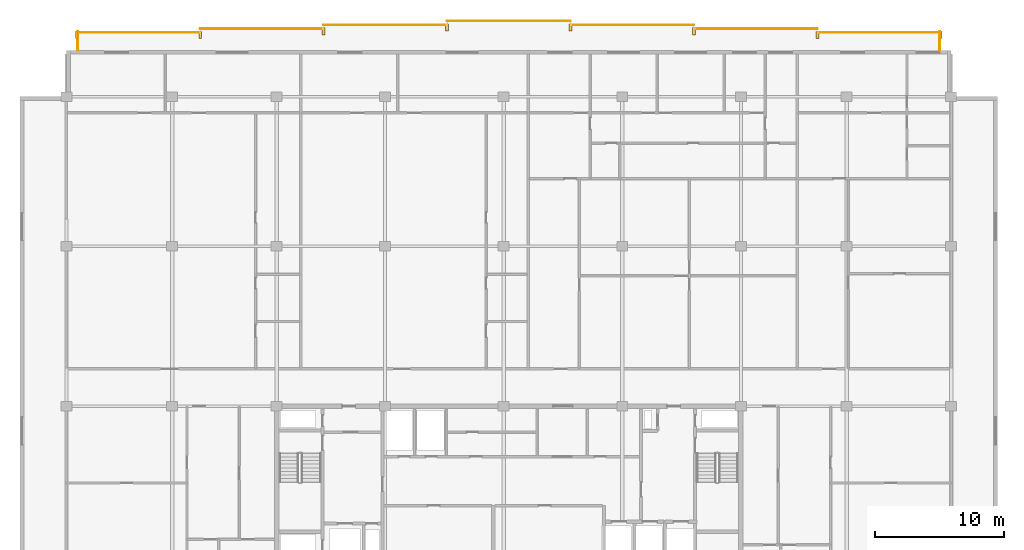
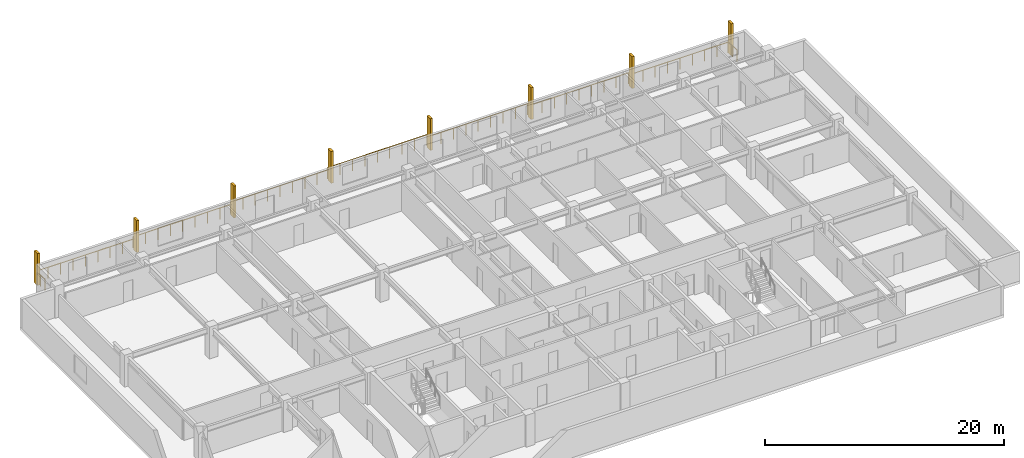
# One storey, part 22 of 22: 9 railings, 8 shading devices.
"""IFC4 building model written with IfcOpenShell, lengths in metres."""

from ifc_helpers import new_model, si_unit, direction, frame, origin, origin_2d, place, context, subcontext, project, spatial, rectangle, circle, extrude, material, type_object, element, save


model = new_model("IFC4")

# Units and contexts
model_context = context("Model", 3, precision=1e-05, world=origin(), true_north=direction((0.0, 1.0)))
body_context = subcontext(model_context, "Body", "Model", "MODEL_VIEW")
ifc_project = project(units=[si_unit("LENGTHUNIT", "METRE"), si_unit("AREAUNIT", "SQUARE_METRE"), si_unit("VOLUMEUNIT", "CUBIC_METRE"), si_unit("PLANEANGLEUNIT", "RADIAN"), si_unit("MASSUNIT", "GRAM", prefix="KILO")], contexts=[model_context])

# Site, building, storey
site_placement = place(None, origin())
site = spatial("IfcSite", under=ifc_project, at=site_placement, CompositionType="ELEMENT")
building_placement = place(site_placement, origin())
building = spatial("IfcBuilding", under=site, at=building_placement, Name="Korimba Cascade Residences", CompositionType="ELEMENT")
storey_placement = place(building_placement, frame((0.0, 0.0, 194.60009765625)))
storey = spatial("IfcBuildingStorey", under=building, at=storey_placement, Name="L56", CompositionType="ELEMENT", Elevation=194.60009765625)

# Railings
ifc_material_1 = material(Name="Laminated Glass and Bronze Balustrade", Category="glass")
railing_type = type_object("IfcRailingType", Name="RLG-LOG-1150", PredefinedType="BALUSTRADE", material=ifc_material_1)
railing_1_placement = place(storey_placement, frame((127.52001953125, 94.800048828125, 0.0)))
element("IfcRailing", 1, at=railing_1_placement, inside=storey, type_object=railing_type, Name="L56 Perimeter Guardrail RLG-L56-T1-LOG-01", PredefinedType="BALUSTRADE", context=body_context, shape_type="SweptSolid", body=[
    extrude(circle(Radius=0.02392578125, at=origin_2d()), frame((0.0, 0.0, 1.1259765625), z_axis=(0.0, 1.0, 0.0), x_axis=(-1.0, 0.0, 0.0)), (0.0, 0.0, 1.0), 1.449951171875),
    extrude(circle(Radius=0.02099609375, at=origin_2d()), origin(), (0.0, 0.0, 1.0), 1.101806640625),
    extrude(circle(Radius=0.02099609375, at=origin_2d()), frame((0.0, 0.72509765625, 0.0)), (0.0, 0.0, 1.0), 1.101806640625),
    extrude(circle(Radius=0.02099609375, at=origin_2d()), frame((0.0, 1.449951171875, 0.0)), (0.0, 0.0, 1.0), 1.101806640625),
])
for number, where, name in (
    (2, (127.60009765625, 96.169921875, 0.0), "L56 Perimeter Guardrail RLG-L56-T1-LOG-02"),
    (3, (118.028564453125, 96.469970703125, 0.0), "L56 Perimeter Guardrail RLG-L56-T1-LOG-03"),
):
    element("IfcRailing", number, at=place(storey_placement, frame(where)), inside=storey, type_object=railing_type, Name=name, PredefinedType="BALUSTRADE", context=body_context, shape_type="SweptSolid", body=[
        extrude(circle(Radius=0.02392578125, at=origin_2d()), frame((0.0, 0.0, 1.1259765625), z_axis=(-1.0, 0.0, 0.0), x_axis=(0.0, -1.0, 0.0)), (0.0, 0.0, 1.0), 9.571533203125),
        extrude(circle(Radius=0.02099609375, at=origin_2d()), origin(), (0.0, 0.0, 1.0), 1.101806640625),
        extrude(circle(Radius=0.02099609375, at=origin_2d()), frame((-1.196533203125, 0.0, 0.0)), (0.0, 0.0, 1.0), 1.101806640625),
        extrude(circle(Radius=0.02099609375, at=origin_2d()), frame((-2.392822265625, 0.0, 0.0)), (0.0, 0.0, 1.0), 1.101806640625),
        extrude(circle(Radius=0.02099609375, at=origin_2d()), frame((-3.58935546875, 0.0, 0.0)), (0.0, 0.0, 1.0), 1.101806640625),
        extrude(circle(Radius=0.02099609375, at=origin_2d()), frame((-4.78564453125, 0.0, 0.0)), (0.0, 0.0, 1.0), 1.101806640625),
        extrude(circle(Radius=0.02099609375, at=origin_2d()), frame((-5.982177734375, 0.0, 0.0)), (0.0, 0.0, 1.0), 1.101806640625),
        extrude(circle(Radius=0.02099609375, at=origin_2d()), frame((-7.1787109375, 0.0, 0.0)), (0.0, 0.0, 1.0), 1.101806640625),
        extrude(circle(Radius=0.02099609375, at=origin_2d()), frame((-8.375, 0.0, 0.0)), (0.0, 0.0, 1.0), 1.101806640625),
        extrude(circle(Radius=0.02099609375, at=origin_2d()), frame((-9.571533203125, 0.0, 0.0)), (0.0, 0.0, 1.0), 1.101806640625),
    ])
railing_2_placement = place(storey_placement, frame((108.45703125, 96.77001953125, 0.0)))
element("IfcRailing", 4, at=railing_2_placement, inside=storey, type_object=railing_type, Name="L56 Perimeter Guardrail RLG-L56-T1-LOG-04", PredefinedType="BALUSTRADE", context=body_context, shape_type="SweptSolid", body=[
    extrude(circle(Radius=0.02392578125, at=origin_2d()), frame((0.0, 0.0, 1.1259765625), z_axis=(-1.0, 0.0, 0.0), x_axis=(0.0, -1.0, 0.0)), (0.0, 0.0, 1.0), 9.5712890625),
    extrude(circle(Radius=0.02099609375, at=origin_2d()), origin(), (0.0, 0.0, 1.0), 1.101806640625),
    extrude(circle(Radius=0.02099609375, at=origin_2d()), frame((-1.1962890625, 0.0, 0.0)), (0.0, 0.0, 1.0), 1.101806640625),
    extrude(circle(Radius=0.02099609375, at=origin_2d()), frame((-2.392822265625, 0.0, 0.0)), (0.0, 0.0, 1.0), 1.101806640625),
    extrude(circle(Radius=0.02099609375, at=origin_2d()), frame((-3.58935546875, 0.0, 0.0)), (0.0, 0.0, 1.0), 1.101806640625),
    extrude(circle(Radius=0.02099609375, at=origin_2d()), frame((-4.78564453125, 0.0, 0.0)), (0.0, 0.0, 1.0), 1.101806640625),
    extrude(circle(Radius=0.02099609375, at=origin_2d()), frame((-5.98193359375, 0.0, 0.0)), (0.0, 0.0, 1.0), 1.101806640625),
    extrude(circle(Radius=0.02099609375, at=origin_2d()), frame((-7.178466796875, 0.0, 0.0)), (0.0, 0.0, 1.0), 1.101806640625),
    extrude(circle(Radius=0.02099609375, at=origin_2d()), frame((-8.375, 0.0, 0.0)), (0.0, 0.0, 1.0), 1.101806640625),
    extrude(circle(Radius=0.02099609375, at=origin_2d()), frame((-9.5712890625, 0.0, 0.0)), (0.0, 0.0, 1.0), 1.101806640625),
])
railing_3_placement = place(storey_placement, frame((98.8857421875, 97.070068359375, 0.0)))
element("IfcRailing", 5, at=railing_3_placement, inside=storey, type_object=railing_type, Name="L56 Perimeter Guardrail RLG-L56-T1-LOG-05", PredefinedType="BALUSTRADE", context=body_context, shape_type="SweptSolid", body=[
    extrude(circle(Radius=0.02392578125, at=origin_2d()), frame((0.0, 0.0, 1.1259765625), z_axis=(-1.0, 0.0, 0.0), x_axis=(0.0, -1.0, 0.0)), (0.0, 0.0, 1.0), 9.571533203125),
    extrude(circle(Radius=0.02099609375, at=origin_2d()), origin(), (0.0, 0.0, 1.0), 1.101806640625),
    extrude(circle(Radius=0.02099609375, at=origin_2d()), frame((-1.196533203125, 0.0, 0.0)), (0.0, 0.0, 1.0), 1.101806640625),
    extrude(circle(Radius=0.02099609375, at=origin_2d()), frame((-2.392822265625, 0.0, 0.0)), (0.0, 0.0, 1.0), 1.101806640625),
    extrude(circle(Radius=0.02099609375, at=origin_2d()), frame((-3.58935546875, 0.0, 0.0)), (0.0, 0.0, 1.0), 1.101806640625),
    extrude(circle(Radius=0.02099609375, at=origin_2d()), frame((-4.78564453125, 0.0, 0.0)), (0.0, 0.0, 1.0), 1.101806640625),
    extrude(circle(Radius=0.02099609375, at=origin_2d()), frame((-5.982177734375, 0.0, 0.0)), (0.0, 0.0, 1.0), 1.101806640625),
    extrude(circle(Radius=0.02099609375, at=origin_2d()), frame((-7.1787109375, 0.0, 0.0)), (0.0, 0.0, 1.0), 1.101806640625),
    extrude(circle(Radius=0.02099609375, at=origin_2d()), frame((-8.375, 0.0, 0.0)), (0.0, 0.0, 1.0), 1.101806640625),
    extrude(circle(Radius=0.02099609375, at=origin_2d()), frame((-9.571533203125, 0.0, 0.0)), (0.0, 0.0, 1.0), 1.101806640625),
])
railing_4_placement = place(storey_placement, frame((89.314208984375, 96.77001953125, 0.0)))
element("IfcRailing", 6, at=railing_4_placement, inside=storey, type_object=railing_type, Name="L56 Perimeter Guardrail RLG-L56-T1-LOG-06", PredefinedType="BALUSTRADE", context=body_context, shape_type="SweptSolid", body=[
    extrude(circle(Radius=0.02392578125, at=origin_2d()), frame((0.0, 0.0, 1.1259765625), z_axis=(-1.0, 0.0, 0.0), x_axis=(0.0, -1.0, 0.0)), (0.0, 0.0, 1.0), 9.5712890625),
    extrude(circle(Radius=0.02099609375, at=origin_2d()), origin(), (0.0, 0.0, 1.0), 1.101806640625),
    extrude(circle(Radius=0.02099609375, at=origin_2d()), frame((-1.1962890625, 0.0, 0.0)), (0.0, 0.0, 1.0), 1.101806640625),
    extrude(circle(Radius=0.02099609375, at=origin_2d()), frame((-2.392822265625, 0.0, 0.0)), (0.0, 0.0, 1.0), 1.101806640625),
    extrude(circle(Radius=0.02099609375, at=origin_2d()), frame((-3.58935546875, 0.0, 0.0)), (0.0, 0.0, 1.0), 1.101806640625),
    extrude(circle(Radius=0.02099609375, at=origin_2d()), frame((-4.78564453125, 0.0, 0.0)), (0.0, 0.0, 1.0), 1.101806640625),
    extrude(circle(Radius=0.02099609375, at=origin_2d()), frame((-5.98193359375, 0.0, 0.0)), (0.0, 0.0, 1.0), 1.101806640625),
    extrude(circle(Radius=0.02099609375, at=origin_2d()), frame((-7.178466796875, 0.0, 0.0)), (0.0, 0.0, 1.0), 1.101806640625),
    extrude(circle(Radius=0.02099609375, at=origin_2d()), frame((-8.375, 0.0, 0.0)), (0.0, 0.0, 1.0), 1.101806640625),
    extrude(circle(Radius=0.02099609375, at=origin_2d()), frame((-9.5712890625, 0.0, 0.0)), (0.0, 0.0, 1.0), 1.101806640625),
])
railing_5_placement = place(storey_placement, frame((79.742919921875, 96.469970703125, 0.0)))
element("IfcRailing", 7, at=railing_5_placement, inside=storey, type_object=railing_type, Name="L56 Perimeter Guardrail RLG-L56-T1-LOG-07", PredefinedType="BALUSTRADE", context=body_context, shape_type="SweptSolid", body=[
    extrude(circle(Radius=0.02392578125, at=origin_2d()), frame((0.0, 0.0, 1.1259765625), z_axis=(-1.0, 0.0, 0.0), x_axis=(0.0, -1.0, 0.0)), (0.0, 0.0, 1.0), 9.571533203125),
    extrude(circle(Radius=0.02099609375, at=origin_2d()), origin(), (0.0, 0.0, 1.0), 1.101806640625),
    extrude(circle(Radius=0.02099609375, at=origin_2d()), frame((-1.196533203125, 0.0, 0.0)), (0.0, 0.0, 1.0), 1.101806640625),
    extrude(circle(Radius=0.02099609375, at=origin_2d()), frame((-2.392822265625, 0.0, 0.0)), (0.0, 0.0, 1.0), 1.101806640625),
    extrude(circle(Radius=0.02099609375, at=origin_2d()), frame((-3.58935546875, 0.0, 0.0)), (0.0, 0.0, 1.0), 1.101806640625),
    extrude(circle(Radius=0.02099609375, at=origin_2d()), frame((-4.78564453125, 0.0, 0.0)), (0.0, 0.0, 1.0), 1.101806640625),
    extrude(circle(Radius=0.02099609375, at=origin_2d()), frame((-5.982177734375, 0.0, 0.0)), (0.0, 0.0, 1.0), 1.101806640625),
    extrude(circle(Radius=0.02099609375, at=origin_2d()), frame((-7.1787109375, 0.0, 0.0)), (0.0, 0.0, 1.0), 1.101806640625),
    extrude(circle(Radius=0.02099609375, at=origin_2d()), frame((-8.375, 0.0, 0.0)), (0.0, 0.0, 1.0), 1.101806640625),
    extrude(circle(Radius=0.02099609375, at=origin_2d()), frame((-9.571533203125, 0.0, 0.0)), (0.0, 0.0, 1.0), 1.101806640625),
])
railing_6_placement = place(storey_placement, frame((70.17138671875, 96.169921875, 0.0)))
element("IfcRailing", 8, at=railing_6_placement, inside=storey, type_object=railing_type, Name="L56 Perimeter Guardrail RLG-L56-T1-LOG-08", PredefinedType="BALUSTRADE", context=body_context, shape_type="SweptSolid", body=[
    extrude(circle(Radius=0.02392578125, at=origin_2d()), frame((0.0, 0.0, 1.1259765625), z_axis=(-1.0, 0.0, 0.0), x_axis=(0.0, -1.0, 0.0)), (0.0, 0.0, 1.0), 9.5712890625),
    extrude(circle(Radius=0.02099609375, at=origin_2d()), origin(), (0.0, 0.0, 1.0), 1.101806640625),
    extrude(circle(Radius=0.02099609375, at=origin_2d()), frame((-1.1962890625, 0.0, 0.0)), (0.0, 0.0, 1.0), 1.101806640625),
    extrude(circle(Radius=0.02099609375, at=origin_2d()), frame((-2.392822265625, 0.0, 0.0)), (0.0, 0.0, 1.0), 1.101806640625),
    extrude(circle(Radius=0.02099609375, at=origin_2d()), frame((-3.58935546875, 0.0, 0.0)), (0.0, 0.0, 1.0), 1.101806640625),
    extrude(circle(Radius=0.02099609375, at=origin_2d()), frame((-4.78564453125, 0.0, 0.0)), (0.0, 0.0, 1.0), 1.101806640625),
    extrude(circle(Radius=0.02099609375, at=origin_2d()), frame((-5.98193359375, 0.0, 0.0)), (0.0, 0.0, 1.0), 1.101806640625),
    extrude(circle(Radius=0.02099609375, at=origin_2d()), frame((-7.178466796875, 0.0, 0.0)), (0.0, 0.0, 1.0), 1.101806640625),
    extrude(circle(Radius=0.02099609375, at=origin_2d()), frame((-8.375, 0.0, 0.0)), (0.0, 0.0, 1.0), 1.101806640625),
    extrude(circle(Radius=0.02099609375, at=origin_2d()), frame((-9.5712890625, 0.0, 0.0)), (0.0, 0.0, 1.0), 1.101806640625),
])
railing_7_placement = place(storey_placement, frame((60.679931640625, 96.25, 0.0)))
element("IfcRailing", 9, at=railing_7_placement, inside=storey, type_object=railing_type, Name="L56 Perimeter Guardrail RLG-L56-T1-LOG-09", PredefinedType="BALUSTRADE", context=body_context, shape_type="SweptSolid", body=[
    extrude(circle(Radius=0.02392578125, at=origin_2d()), frame((0.0, 0.0, 1.1259765625), z_axis=(0.0, -1.0, 0.0), x_axis=(1.0, 0.0, 0.0)), (0.0, 0.0, 1.0), 1.449951171875),
    extrude(circle(Radius=0.02099609375, at=origin_2d()), origin(), (0.0, 0.0, 1.0), 1.101806640625),
    extrude(circle(Radius=0.02099609375, at=origin_2d()), frame((0.0, -0.72509765625, 0.0)), (0.0, 0.0, 1.0), 1.101806640625),
    extrude(circle(Radius=0.02099609375, at=origin_2d()), frame((0.0, -1.449951171875, 0.0)), (0.0, 0.0, 1.0), 1.101806640625),
])

# Shading devices
ifc_material_2 = material(Name="Honed Sandstone Precast Fin", Category="masonry")
shading_device_type = type_object("IfcShadingDeviceType", Name="SHD-FIN-550", PredefinedType="USERDEFINED", material=ifc_material_2)
for number, where, z_axis, x_axis, name in (
    (10, (60.60009765625, 95.97509765625, 0.0), (0.0, 0.0, 1.0), (1.0, 0.0, 0.0), "L56 T1 Warm-Stone Loggia Fin 1"),
    (11, (70.17138671875, 95.97509765625, 0.0), (0.0, 0.0, 1.0), (1.0, 0.0, 0.0), "L56 T1 Warm-Stone Loggia Fin 2"),
    (12, (79.742919921875, 96.27490234375, 0.0), (0.0, 0.0, 1.0), (1.0, 0.0, 0.0), "L56 T1 Warm-Stone Loggia Fin 3"),
    (13, (89.314208984375, 96.574951171875, 0.0), (0.0, 0.0, 1.0), (1.0, 0.0, 0.0), "L56 T1 Warm-Stone Loggia Fin 4"),
    (14, (98.8857421875, 96.574951171875, 0.0), (0.0, 0.0, 1.0), (1.0, 0.0, 0.0), "L56 T1 Warm-Stone Loggia Fin 5"),
    (15, (108.45703125, 96.27490234375, 0.0), (0.0, 0.0, 1.0), (1.0, 0.0, 0.0), "L56 T1 Warm-Stone Loggia Fin 6"),
    (16, (118.028564453125, 95.97509765625, 0.0), (0.0, 0.0, 1.0), (1.0, 0.0, 0.0), "L56 T1 Warm-Stone Loggia Fin 7"),
    (17, (127.60009765625, 95.97509765625, 0.0), (0.0, 0.0, 1.0), (1.0, 0.0, 0.0), "L56 T1 Warm-Stone Loggia Fin 8"),
):
    element("IfcShadingDevice", number, at=place(storey_placement, frame(where, z_axis=z_axis, x_axis=x_axis)), inside=storey, type_object=shading_device_type, Name=name, ObjectType="FIN", PredefinedType="USERDEFINED", context=body_context, shape_type="SweptSolid", body=[
        extrude(rectangle(XDim=0.219970703125, YDim=0.550048828125, at=origin_2d()), origin(), (0.0, 0.0, 1.0), 3.25),
    ])

save(model, "model.ifc")
